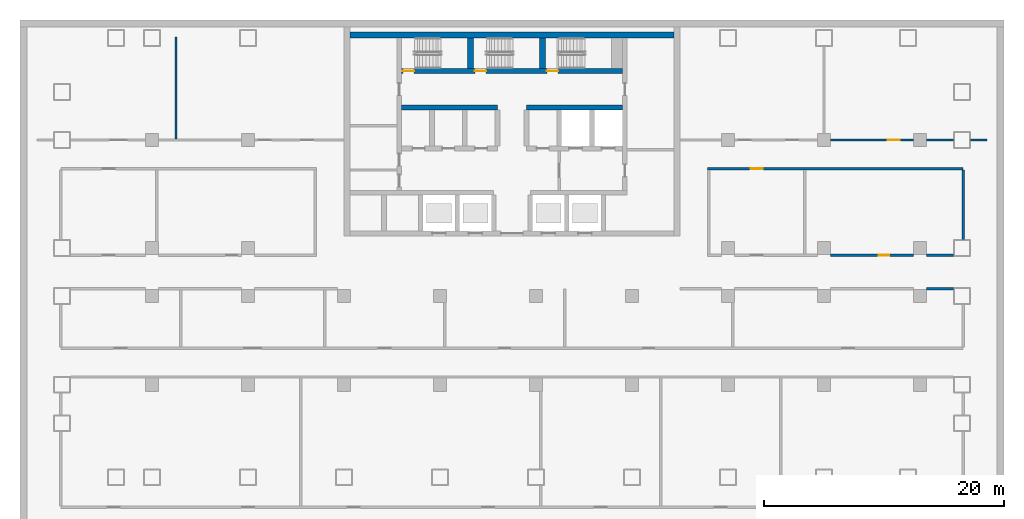
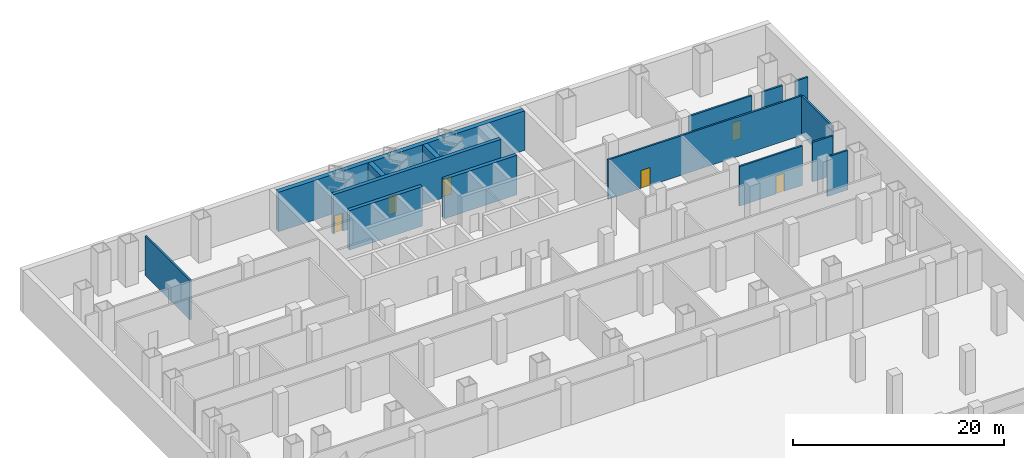
# One storey, part 7 of 12: 15 walls, 6 doors, 6 openings.
"""IFC4 building model written with IfcOpenShell, lengths in metres."""

from ifc_helpers import new_model, si_unit, direction, frame, frame_2d, origin, place, context, subcontext, project, spatial, rectangle, extrude, material, layer, layer_set, type_object, element, fill, save


model = new_model("IFC4")

# Units and contexts
model_context = context("Model", 3, precision=1e-05, world=origin(), true_north=direction((0.0, 1.0)))
body_context = subcontext(model_context, "Body", "Model", "MODEL_VIEW")
ifc_project = project(units=[si_unit("LENGTHUNIT", "METRE"), si_unit("AREAUNIT", "SQUARE_METRE"), si_unit("VOLUMEUNIT", "CUBIC_METRE"), si_unit("PLANEANGLEUNIT", "RADIAN"), si_unit("MASSUNIT", "GRAM", prefix="KILO")], contexts=[model_context])

# Site, building, storey
site_placement = place(None, origin())
site = spatial("IfcSite", under=ifc_project, at=site_placement, CompositionType="ELEMENT")
building_placement = place(site_placement, origin())
building = spatial("IfcBuilding", under=site, at=building_placement, Name="Vidyagriha Tower", CompositionType="ELEMENT")
storey_placement = place(building_placement, frame((0.0, 0.0, -5.0)))
storey = spatial("IfcBuildingStorey", under=building, at=storey_placement, Name="B1", CompositionType="ELEMENT", Elevation=-5.0)

# Walls
ifc_material_1 = material(Name="Concrete C60/75", Category="concrete")
ifc_layer_1 = layer(ifc_material_1, 0.39990234375)
ifc_layer_set_1 = layer_set([ifc_layer_1], Name="Concrete C60/75")
wall_type_1 = type_object("IfcWallType", Name="Core shear wall 400 mm", PredefinedType="SHEAR", material=ifc_layer_set_1)
for number, where, name in (
    (1, (-9.199951171875, 13.699951171875, 0.0), "Core row N rear wall"),
    (2, (1.199951171875, 13.699951171875, 0.0), "Core row N rear wall"),
):
    element("IfcWall", number, at=place(storey_placement, frame(where)), inside=storey, type_object=wall_type_1, Name=name, PredefinedType="SHEAR", context=body_context, shape_type="SweptSolid", body=[
        extrude(rectangle(XDim=8.0, YDim=0.39990234375, at=frame_2d((4.0, 0.0))), origin(), (0.0, 0.0, 1.0), 4.580078125),
    ])

# Wall, openings, doors
wall_1_placement = place(storey_placement, frame((-9.199951171875, 16.75, 0.0)))
wall_1 = element("IfcWall", 3, at=wall_1_placement, inside=storey, type_object=wall_type_1, Name="Stair front wall", PredefinedType="SHEAR", context=body_context, shape_type="SweptSolid", body=[
    extrude(rectangle(XDim=18.39990234375, YDim=0.39990234375, at=frame_2d((9.199951171875, 0.0))), origin(), (0.0, 0.0, 1.0), 4.580078125),
])
opening_1_placement = place(wall_1_placement, frame((0.10009765625, 0.0, 0.0)))
opening_1 = element("IfcOpeningElement", 4, at=opening_1_placement, cuts=wall_1, Name="Opening DB1-07", PredefinedType="OPENING", context=body_context, shape_type="SweptSolid", body=[
    extrude(rectangle(XDim=0.949951171875, YDim=2.10009765625, at=frame_2d((0.47509765625, 1.050048828125))), frame((0.0, 0.2099609375, 0.0), z_axis=(0.0, -1.0, 0.0), x_axis=(1.0, 0.0, 0.0)), (0.0, 0.0, 1.0), 0.419921875),
])
opening_2_placement = place(wall_1_placement, frame((6.10009765625, 0.0, 0.0)))
opening_2 = element("IfcOpeningElement", 5, at=opening_2_placement, cuts=wall_1, Name="Opening DB1-08", PredefinedType="OPENING", context=body_context, shape_type="SweptSolid", body=[
    extrude(rectangle(XDim=0.949951171875, YDim=2.10009765625, at=frame_2d((0.47509765625, 1.050048828125))), frame((0.0, 0.2099609375, 0.0), z_axis=(0.0, -1.0, 0.0), x_axis=(1.0, 0.0, 0.0)), (0.0, 0.0, 1.0), 0.419921875),
])
opening_3_placement = place(wall_1_placement, frame((12.10009765625, 0.0, 0.0)))
opening_3 = element("IfcOpeningElement", 6, at=opening_3_placement, cuts=wall_1, Name="Opening DB1-09", PredefinedType="OPENING", context=body_context, shape_type="SweptSolid", body=[
    extrude(rectangle(XDim=0.949951171875, YDim=2.10009765625, at=frame_2d((0.47509765625, 1.050048828125))), frame((0.0, 0.2099609375, 0.0), z_axis=(0.0, -1.0, 0.0), x_axis=(1.0, 0.0, 0.0)), (0.0, 0.0, 1.0), 0.419921875),
])
ifc_material_2 = material(Name="Hollow metal door leaf")
door_type_1 = type_object("IfcDoorType", Name="Exit stair door 950 x 2100 mm EI 90", OperationType="NOTDEFINED", PredefinedType="DOOR", material=ifc_material_2)
door_1_placement = place(opening_1_placement, origin())
door_1 = element("IfcDoor", 7, at=door_1_placement, inside=storey, type_object=door_type_1, Name="Stair door ST1 B1", OperationType="SINGLE_SWING_LEFT", OverallHeight=2.10009765625, OverallWidth=0.949951171875, PredefinedType="DOOR", context=body_context, shape_type="SweptSolid", body=[
    extrude(rectangle(XDim=0.949951171875, YDim=2.10009765625, at=frame_2d((0.47509765625, 1.050048828125))), frame((0.0, 0.02490234375, 0.0), z_axis=(0.0, -1.0, 0.0), x_axis=(1.0, 0.0, 0.0)), (0.0, 0.0, 1.0), 0.050048828125),
])
fill(opening_1, door_1)
door_2_placement = place(opening_2_placement, origin())
door_2 = element("IfcDoor", 8, at=door_2_placement, inside=storey, type_object=door_type_1, Name="Stair door ST2 B1", OperationType="SINGLE_SWING_LEFT", OverallHeight=2.10009765625, OverallWidth=0.949951171875, PredefinedType="DOOR", context=body_context, shape_type="SweptSolid", body=[
    extrude(rectangle(XDim=0.949951171875, YDim=2.10009765625, at=frame_2d((0.47509765625, 1.050048828125))), frame((0.0, 0.02490234375, 0.0), z_axis=(0.0, -1.0, 0.0), x_axis=(1.0, 0.0, 0.0)), (0.0, 0.0, 1.0), 0.050048828125),
])
fill(opening_2, door_2)
door_3_placement = place(opening_3_placement, origin())
door_3 = element("IfcDoor", 9, at=door_3_placement, inside=storey, type_object=door_type_1, Name="Stair door ST3 B1", OperationType="SINGLE_SWING_LEFT", OverallHeight=2.10009765625, OverallWidth=0.949951171875, PredefinedType="DOOR", context=body_context, shape_type="SweptSolid", body=[
    extrude(rectangle(XDim=0.949951171875, YDim=2.10009765625, at=frame_2d((0.47509765625, 1.050048828125))), frame((0.0, 0.02490234375, 0.0), z_axis=(0.0, -1.0, 0.0), x_axis=(1.0, 0.0, 0.0)), (0.0, 0.0, 1.0), 0.050048828125),
])
fill(opening_3, door_3)

# Walls
ifc_material_3 = material(Name="Concrete C60/75", Category="concrete")
ifc_layer_2 = layer(ifc_material_3, 0.5)
ifc_layer_set_2 = layer_set([ifc_layer_2], Name="Concrete C60/75")
wall_type_2 = type_object("IfcWallType", Name="Core shear wall 500 mm", PredefinedType="SHEAR", material=ifc_layer_set_2)
wall_2_placement = place(storey_placement, frame((-13.5, 19.75, 0.0)))
element("IfcWall", 10, at=wall_2_placement, inside=storey, type_object=wall_type_2, Name="Core north wall", PredefinedType="SHEAR", context=body_context, shape_type="SweptSolid", body=[
    extrude(rectangle(XDim=27.0, YDim=0.5, at=frame_2d((13.5, 0.0))), origin(), (0.0, 0.0, 1.0), 4.580078125),
])
for number, where, z_axis, x_axis, name in (
    (11, (-3.449951171875, 16.949951171875, 0.0), (0.0, 0.0, 1.0), (0.0, 1.0, 0.0), "Stair partition wall 1"),
    (12, (2.550048828125, 16.949951171875, 0.0), (0.0, 0.0, 1.0), (0.0, 1.0, 0.0), "Stair partition wall 2"),
):
    element("IfcWall", number, at=place(storey_placement, frame(where, z_axis=z_axis, x_axis=x_axis)), inside=storey, type_object=wall_type_2, Name=name, PredefinedType="SHEAR", context=body_context, shape_type="SweptSolid", body=[
        extrude(rectangle(XDim=2.550048828125, YDim=0.5, at=frame_2d((1.27490234375, 0.0))), origin(), (0.0, 0.0, 1.0), 4.580078125),
    ])
ifc_material_4 = material(Name="Fire rated gypsum board on light gauge framing")
ifc_layer_3 = layer(ifc_material_4, 0.199951171875)
ifc_layer_set_3 = layer_set([ifc_layer_3], Name="Fire rated gypsum board on light gauge framing")
wall_type_3 = type_object("IfcWallType", Name="Fire Rated Corridor Wall 200", PredefinedType="PARTITIONING", material=ifc_layer_set_3)
wall_3_placement = place(storey_placement, frame((34.550048828125, -1.39990234375, 0.0)))
element("IfcWall", 13, at=wall_3_placement, inside=storey, type_object=wall_type_3, Name="B1 Fire Rated Corridor Wall 200 038", PredefinedType="PARTITIONING", context=body_context, shape_type="SweptSolid", body=[
    extrude(rectangle(XDim=2.25, YDim=0.199951171875, at=frame_2d((1.125, 0.0))), origin(), (0.0, 0.0, 1.0), 4.580078125),
])

# Wall, opening, door
wall_4_placement = place(storey_placement, frame((26.550048828125, 1.39990234375, 0.0)))
wall_4 = element("IfcWall", 14, at=wall_4_placement, inside=storey, type_object=wall_type_3, Name="B1 Fire Rated Corridor Wall 200 044", PredefinedType="PARTITIONING", context=body_context, shape_type="SweptSolid", body=[
    extrude(rectangle(XDim=6.89990234375, YDim=0.199951171875, at=frame_2d((3.449951171875, 0.0))), origin(), (0.0, 0.0, 1.0), 4.580078125),
])
opening_4_placement = place(wall_4_placement, frame((4.0, 0.0, 0.0)))
opening_4 = element("IfcOpeningElement", 15, at=opening_4_placement, cuts=wall_4, Name="Opening DB1-37", PredefinedType="OPENING", context=body_context, shape_type="SweptSolid", body=[
    extrude(rectangle(XDim=0.89990234375, YDim=2.10009765625, at=frame_2d((0.449951171875, 1.050048828125))), frame((0.0, 0.10986328125, 0.0), z_axis=(0.0, -1.0, 0.0), x_axis=(1.0, 0.0, 0.0)), (0.0, 0.0, 1.0), 0.219970703125),
])
ifc_material_5 = material(Name="Steel fire door set", Category="steel")
door_type_2 = type_object("IfcDoorType", Name="Podium Door 900x2100 EI 30", OperationType="NOTDEFINED", PredefinedType="DOOR", material=ifc_material_5)
door_4_placement = place(opening_4_placement, origin())
door_4 = element("IfcDoor", 16, at=door_4_placement, inside=storey, type_object=door_type_2, Name="B1 door DB1-37", OperationType="SINGLE_SWING_RIGHT", OverallHeight=2.10009765625, OverallWidth=0.89990234375, PredefinedType="DOOR", context=body_context, shape_type="SweptSolid", body=[
    extrude(rectangle(XDim=0.89990234375, YDim=2.10009765625, at=frame_2d((0.449951171875, 1.050048828125))), frame((0.0, 0.02490234375, 0.0), z_axis=(0.0, -1.0, 0.0), x_axis=(1.0, 0.0, 0.0)), (0.0, 0.0, 1.0), 0.050048828125),
])
fill(opening_4, door_4)

# Wall
wall_5_placement = place(storey_placement, frame((34.550048828125, 1.39990234375, 0.0)))
element("IfcWall", 17, at=wall_5_placement, inside=storey, type_object=wall_type_3, Name="B1 Fire Rated Corridor Wall 200 045", PredefinedType="PARTITIONING", context=body_context, shape_type="SweptSolid", body=[
    extrude(rectangle(XDim=2.25, YDim=0.199951171875, at=frame_2d((1.125, 0.0))), origin(), (0.0, 0.0, 1.0), 4.580078125),
])

# Wall, opening, door
wall_6_placement = place(storey_placement, frame((16.300048828125, 8.60009765625, 0.0)))
wall_6 = element("IfcWall", 18, at=wall_6_placement, inside=storey, type_object=wall_type_3, Name="B1 Fire Rated Corridor Wall 200 047", PredefinedType="PARTITIONING", context=body_context, shape_type="SweptSolid", body=[
    extrude(rectangle(XDim=21.2998046875, YDim=0.199951171875, at=frame_2d((10.64990234375, 0.0))), origin(), (0.0, 0.0, 1.0), 4.580078125),
])
opening_5_placement = place(wall_6_placement, frame((3.599853515625, 0.0, 0.0)))
opening_5 = element("IfcOpeningElement", 19, at=opening_5_placement, cuts=wall_6, Name="Opening DB1-36", PredefinedType="OPENING", context=body_context, shape_type="SweptSolid", body=[
    extrude(rectangle(XDim=1.0, YDim=2.10009765625, at=frame_2d((0.5, 1.050048828125))), frame((0.0, 0.10986328125, 0.0), z_axis=(0.0, -1.0, 0.0), x_axis=(1.0, 0.0, 0.0)), (0.0, 0.0, 1.0), 0.219970703125),
])
ifc_material_6 = material(Name="Steel fire door set", Category="steel")
door_type_3 = type_object("IfcDoorType", Name="Podium Door 1000x2100 EI 60", OperationType="NOTDEFINED", PredefinedType="DOOR", material=ifc_material_6)
door_5_placement = place(opening_5_placement, frame((1.0, 0.0, 0.0), z_axis=(0.0, 0.0, 1.0), x_axis=(-1.0, 0.0, 0.0)))
door_5 = element("IfcDoor", 20, at=door_5_placement, inside=storey, type_object=door_type_3, Name="B1 door DB1-36", OperationType="SINGLE_SWING_LEFT", OverallHeight=2.10009765625, OverallWidth=1.0, PredefinedType="DOOR", context=body_context, shape_type="SweptSolid", body=[
    extrude(rectangle(XDim=1.0, YDim=2.10009765625, at=frame_2d((0.5, 1.050048828125))), frame((0.0, 0.02490234375, 0.0), z_axis=(0.0, -1.0, 0.0), x_axis=(1.0, 0.0, 0.0)), (0.0, 0.0, 1.0), 0.050048828125),
])
fill(opening_5, door_5)

wall_7_placement = place(storey_placement, frame((26.550048828125, 11.0, 0.0)))
wall_7 = element("IfcWall", 21, at=wall_7_placement, inside=storey, type_object=wall_type_3, Name="B1 Fire Rated Corridor Wall 200 054", PredefinedType="PARTITIONING", context=body_context, shape_type="SweptSolid", body=[
    extrude(rectangle(XDim=6.89990234375, YDim=0.199951171875, at=frame_2d((3.449951171875, 0.0))), origin(), (0.0, 0.0, 1.0), 4.580078125),
])
opening_6_placement = place(wall_7_placement, frame((4.75, 0.0, 0.0)))
opening_6 = element("IfcOpeningElement", 22, at=opening_6_placement, cuts=wall_7, Name="Opening DB1-43", PredefinedType="OPENING", context=body_context, shape_type="SweptSolid", body=[
    extrude(rectangle(XDim=1.0, YDim=2.10009765625, at=frame_2d((0.5, 1.050048828125))), frame((0.0, 0.10986328125, 0.0), z_axis=(0.0, -1.0, 0.0), x_axis=(1.0, 0.0, 0.0)), (0.0, 0.0, 1.0), 0.219970703125),
])
door_6_placement = place(opening_6_placement, origin())
door_6 = element("IfcDoor", 23, at=door_6_placement, inside=storey, type_object=door_type_3, Name="B1 door DB1-43", OperationType="SINGLE_SWING_RIGHT", OverallHeight=2.10009765625, OverallWidth=1.0, PredefinedType="DOOR", context=body_context, shape_type="SweptSolid", body=[
    extrude(rectangle(XDim=1.0, YDim=2.10009765625, at=frame_2d((0.5, 1.050048828125))), frame((0.0, 0.02490234375, 0.0), z_axis=(0.0, -1.0, 0.0), x_axis=(1.0, 0.0, 0.0)), (0.0, 0.0, 1.0), 0.050048828125),
])
fill(opening_6, door_6)

# Walls
wall_8_placement = place(storey_placement, frame((34.550048828125, 11.0, 0.0)))
element("IfcWall", 24, at=wall_8_placement, inside=storey, type_object=wall_type_3, Name="B1 Fire Rated Corridor Wall 200 055", PredefinedType="PARTITIONING", context=body_context, shape_type="SweptSolid", body=[
    extrude(rectangle(XDim=2.25, YDim=0.199951171875, at=frame_2d((1.125, 0.0))), origin(), (0.0, 0.0, 1.0), 4.580078125),
])
wall_9_placement = place(storey_placement, frame((38.199951171875, 11.0, 0.0)))
element("IfcWall", 25, at=wall_9_placement, inside=storey, type_object=wall_type_3, Name="B1 Fire Rated Corridor Wall 200 056", PredefinedType="PARTITIONING", context=body_context, shape_type="SweptSolid", body=[
    extrude(rectangle(XDim=1.400146484375, YDim=0.199951171875, at=frame_2d((0.7001953125, 0.0))), origin(), (0.0, 0.0, 1.0), 4.580078125),
])
wall_10_placement = place(storey_placement, frame((-28.0, 11.10009765625, 0.0), z_axis=(0.0, 0.0, 1.0), x_axis=(0.0, 1.0, 0.0)))
element("IfcWall", 26, at=wall_10_placement, inside=storey, type_object=wall_type_3, Name="B1 Fire Rated Corridor Wall 200 063", PredefinedType="PARTITIONING", context=body_context, shape_type="SweptSolid", body=[
    extrude(rectangle(XDim=8.499755859375, YDim=0.199951171875, at=frame_2d((4.25, 0.0))), origin(), (0.0, 0.0, 1.0), 4.580078125),
])
wall_11_placement = place(storey_placement, frame((37.60009765625, 2.699951171875, 0.0), z_axis=(0.0, 0.0, 1.0), x_axis=(0.0, 1.0, 0.0)))
element("IfcWall", 27, at=wall_11_placement, inside=storey, type_object=wall_type_3, Name="B1 Fire Rated Corridor Wall 200 086", PredefinedType="PARTITIONING", context=body_context, shape_type="SweptSolid", body=[
    extrude(rectangle(XDim=5.800048828125, YDim=0.199951171875, at=frame_2d((2.89990234375, 0.0))), origin(), (0.0, 0.0, 1.0), 4.580078125),
])

save(model, "model.ifc")
